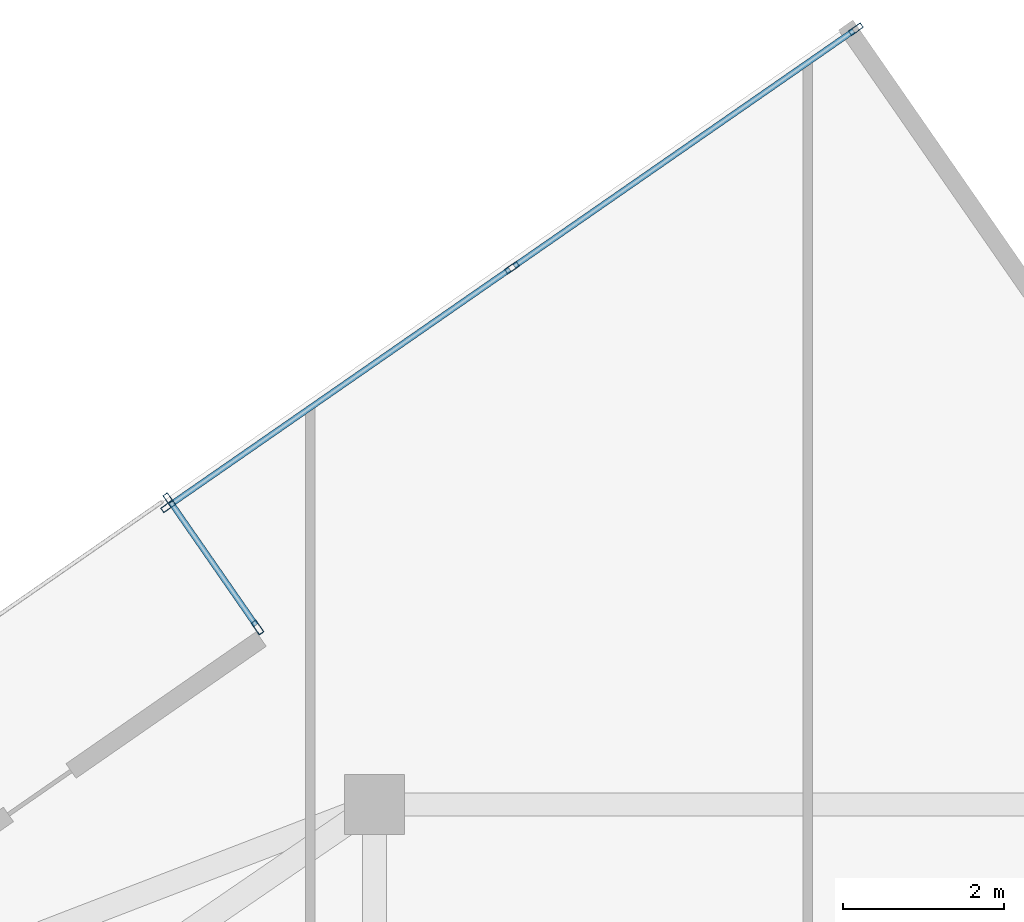
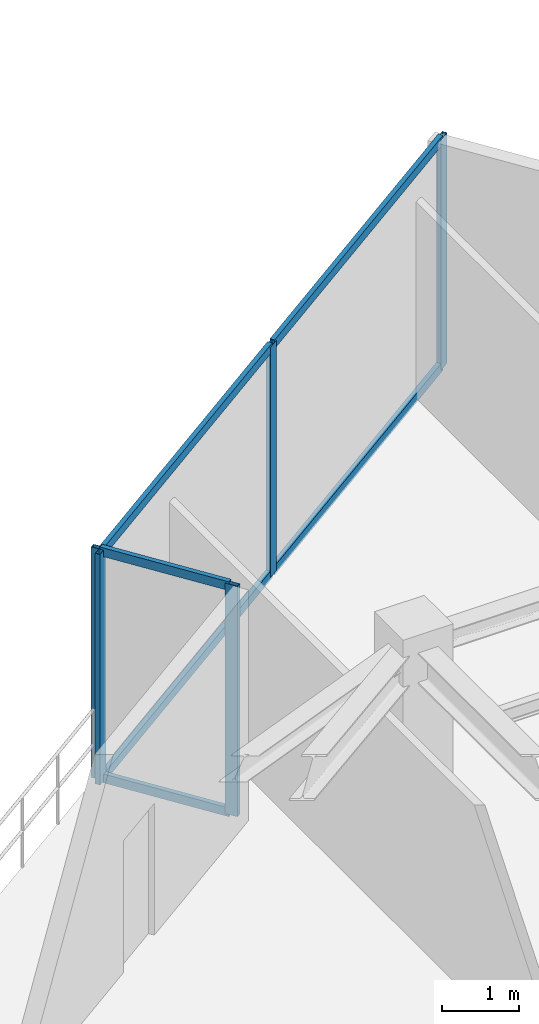
# One storey, part 14 of 21: 11 members, 2 elements without a shape of their own.
"""IFC4 building model written with IfcOpenShell, lengths in metres."""

from ifc_helpers import new_model, si_unit, direction, frame, origin, origin_2d, place, context, subcontext, project, spatial, hollow_rectangle, extrude, source, transform, mapped, material, material_profile, profile_set, type_object, type_shapes, element, aggregate, save


model = new_model("IFC4")

# Units and contexts
model_context = context("Model", 3, precision=1e-05, world=origin(), true_north=direction((0.0, 1.0)))
body_context = subcontext(model_context, "Body", "Model", "MODEL_VIEW")
ifc_project = project(units=[si_unit("LENGTHUNIT", "METRE"), si_unit("AREAUNIT", "SQUARE_METRE"), si_unit("VOLUMEUNIT", "CUBIC_METRE"), si_unit("PLANEANGLEUNIT", "RADIAN"), si_unit("MASSUNIT", "GRAM", prefix="KILO")], contexts=[model_context])

# Site, building, storey
site_placement = place(None, origin())
site = spatial("IfcSite", under=ifc_project, at=site_placement, CompositionType="ELEMENT")
building_placement = place(site_placement, origin())
building = spatial("IfcBuilding", under=site, at=building_placement, Name="Krantzveldt Concourse Tower", CompositionType="ELEMENT")
storey_placement = place(building_placement, frame((0.0, 0.0, 275.300048828125)))
storey = spatial("IfcBuildingStorey", under=building, at=storey_placement, Name="L67", CompositionType="ELEMENT", Elevation=275.300048828125)

# Curtain wall, members
ifc_material = material(Name="Anodised aluminium 6063-T6", Category="aluminium")
curtain_wall_type_1 = type_object("IfcCurtainWallType", Name="CW4", PredefinedType="USERDEFINED", material=ifc_material)
curtain_wall_1_placement = place(storey_placement, origin())
curtain_wall_1 = element("IfcCurtainWall", 1, at=curtain_wall_1_placement, inside=storey, type_object=curtain_wall_type_1, Name="CW-L67-F01", ObjectType="UNITISED CURTAIN WALL", PredefinedType="USERDEFINED")
ifc_material_profile_1 = material_profile(ifc_material, hollow_rectangle(XDim=0.070068359375, YDim=0.179931640625, WallThickness=0.0048828125, at=origin_2d()), Name="Anodised aluminium 6063-T6", Category="aluminium")
ifc_profile_set_1 = profile_set([ifc_material_profile_1], Name="Anodised aluminium 6063-T6 - ALU-MULL 180x70x5")
member_type_1 = type_object("IfcMemberType", Name="CW-MUL-180", PredefinedType="MULLION", material=ifc_profile_set_1)
shared_shape_1 = source(origin(), body_context, "Body", "SweptSolid", [
    extrude(hollow_rectangle(XDim=0.070068359375, YDim=0.179931640625, WallThickness=0.0048828125, at=origin_2d()), origin(), (0.0, 0.0, 1.0), 3.669921875),
])
type_shapes(member_type_1, [shared_shape_1])
member_1_placement = place(storey_placement, frame((36.60009765625, 50.861328125, 0.0), z_axis=(0.0, 0.0, 1.0), x_axis=(0.569996503407, -0.821647117748, 0.0)))
member_1 = element("IfcMember", 2, at=member_1_placement, type_object=member_type_1, Name="CW-Z56 mullion 1", PredefinedType="MULLION", context=body_context, shape_type="MappedRepresentation", body=[
    mapped(shared_shape_1, transform((0.0, 0.0, 0.0), x_axis=(1.0, 0.0, 0.0), y_axis=(0.0, 1.0, 0.0), z_axis=(0.0, 0.0, 1.0), scale=1.0)),
])
member_2_placement = place(storey_placement, frame((32.315185546875, 47.888916015625, 0.0), z_axis=(0.0, 0.0, 1.0), x_axis=(0.569996503407, -0.821647117748, 0.0)))
member_2 = element("IfcMember", 3, at=member_2_placement, type_object=member_type_1, Name="CW-Z56 mullion 2", PredefinedType="MULLION", context=body_context, shape_type="MappedRepresentation", body=[
    mapped(shared_shape_1, transform((0.0, 0.0, 0.0), x_axis=(1.0, 0.0, 0.0), y_axis=(0.0, 1.0, 0.0), z_axis=(0.0, 0.0, 1.0), scale=1.0)),
])
member_3_placement = place(storey_placement, frame((28.0302734375, 44.916259765625, 0.0), z_axis=(0.0, 0.0, 1.0), x_axis=(0.569996503407, -0.821647117748, 0.0)))
member_3 = element("IfcMember", 4, at=member_3_placement, type_object=member_type_1, Name="CW-Z56 mullion 3", PredefinedType="MULLION", context=body_context, shape_type="MappedRepresentation", body=[
    mapped(shared_shape_1, transform((0.0, 0.0, 0.0), x_axis=(1.0, 0.0, 0.0), y_axis=(0.0, 1.0, 0.0), z_axis=(0.0, 0.0, 1.0), scale=1.0)),
])

curtain_wall_type_2 = type_object("IfcCurtainWallType", Name="CW6", PredefinedType="USERDEFINED", material=ifc_material)
curtain_wall_2_placement = place(storey_placement, origin())
curtain_wall_2 = element("IfcCurtainWall", 5, at=curtain_wall_2_placement, inside=storey, type_object=curtain_wall_type_2, Name="CW-L67-TR02", ObjectType="UNITISED CURTAIN WALL", PredefinedType="USERDEFINED")
member_4_placement = place(storey_placement, frame((28.044189453125, 44.992919921875, 0.0), z_axis=(0.0, 0.0, 1.0), x_axis=(0.8216464166, 0.569997514107, 0.0)))
member_4 = element("IfcMember", 6, at=member_4_placement, type_object=member_type_1, Name="CW-TERR mullion 1", PredefinedType="MULLION", context=body_context, shape_type="MappedRepresentation", body=[
    mapped(shared_shape_1, transform((0.0, 0.0, 0.0), x_axis=(1.0, 0.0, 0.0), y_axis=(0.0, 1.0, 0.0), z_axis=(0.0, 0.0, 1.0), scale=1.0)),
])
member_5_placement = place(storey_placement, frame((29.144287109375, 43.406982421875, 0.0), z_axis=(0.0, 0.0, 1.0), x_axis=(0.8216464166, 0.569997514107, 0.0)))
member_5 = element("IfcMember", 7, at=member_5_placement, type_object=member_type_1, Name="CW-TERR mullion 2", PredefinedType="MULLION", context=body_context, shape_type="MappedRepresentation", body=[
    mapped(shared_shape_1, transform((0.0, 0.0, 0.0), x_axis=(1.0, 0.0, 0.0), y_axis=(0.0, 1.0, 0.0), z_axis=(0.0, 0.0, 1.0), scale=1.0)),
])
ifc_material_profile_2 = material_profile(ifc_material, hollow_rectangle(XDim=0.070068359375, YDim=0.139892578125, WallThickness=0.0048828125, at=origin_2d()), Name="Anodised aluminium 6063-T6", Category="aluminium")
ifc_profile_set_2 = profile_set([ifc_material_profile_2], Name="Anodised aluminium 6063-T6 - ALU-TRAN 140x70x5")
member_type_2 = type_object("IfcMemberType", Name="CW-TRN-150", PredefinedType="USERDEFINED", material=ifc_profile_set_2)
shared_shape_2 = source(origin(), body_context, "Body", "SweptSolid", [
    extrude(hollow_rectangle(XDim=0.070068359375, YDim=0.139892578125, WallThickness=0.0048828125, at=origin_2d()), origin(), (0.0, 0.0, 1.0), 1.85986328125),
])
member_6_placement = place(storey_placement, frame((28.064208984375, 44.964111328125, 0.034912109375), z_axis=(0.569933266544, -0.821690983087, 0.0), x_axis=(0.821690983087, 0.569933266544, 0.0)))
member_6 = element("IfcMember", 8, at=member_6_placement, type_object=member_type_2, Name="CW-TERR transom 1.1", ObjectType="TRANSOM", PredefinedType="USERDEFINED", context=body_context, shape_type="MappedRepresentation", body=[
    mapped(shared_shape_2, transform((0.0, 0.0, 0.0), x_axis=(1.0, 0.0, 0.0), y_axis=(0.0, 1.0, 0.0), z_axis=(0.0, 0.0, 1.0), scale=1.0)),
])
member_7_placement = place(storey_placement, frame((28.064208984375, 44.964111328125, 3.635009765625), z_axis=(0.569933266544, -0.821690983087, 0.0), x_axis=(0.821690983087, 0.569933266544, 0.0)))
member_7 = element("IfcMember", 9, at=member_7_placement, type_object=member_type_2, Name="CW-TERR transom 1.2", ObjectType="TRANSOM", PredefinedType="USERDEFINED", context=body_context, shape_type="MappedRepresentation", body=[
    mapped(shared_shape_2, transform((0.0, 0.0, 0.0), x_axis=(1.0, 0.0, 0.0), y_axis=(0.0, 1.0, 0.0), z_axis=(0.0, 0.0, 1.0), scale=1.0)),
])
aggregate(curtain_wall_2, [member_4, member_5, member_6, member_7])

# Member
shared_shape_3 = source(origin(), body_context, "Body", "SweptSolid", [
    extrude(hollow_rectangle(XDim=0.070068359375, YDim=0.139892578125, WallThickness=0.0048828125, at=origin_2d()), origin(), (0.0, 0.0, 1.0), 5.14501953125),
])
type_shapes(member_type_2, [shared_shape_2, shared_shape_3])
member_8_placement = place(storey_placement, frame((36.5712890625, 50.84130859375, 0.034912109375), z_axis=(-0.821643446743, -0.570001795107, 0.0), x_axis=(0.570001795107, -0.821643446743, 0.0)))
member_8 = element("IfcMember", 10, at=member_8_placement, type_object=member_type_2, Name="CW-Z56 transom 1.1", ObjectType="TRANSOM", PredefinedType="USERDEFINED", context=body_context, shape_type="MappedRepresentation", body=[
    mapped(shared_shape_3, transform((0.0, 0.0, 0.0), x_axis=(1.0, 0.0, 0.0), y_axis=(0.0, 1.0, 0.0), z_axis=(0.0, 0.0, 1.0), scale=1.0)),
])

member_9_placement = place(storey_placement, frame((36.5712890625, 50.84130859375, 3.635009765625), z_axis=(-0.821643446743, -0.570001795107, 0.0), x_axis=(0.570001795107, -0.821643446743, 0.0)))
member_9 = element("IfcMember", 11, at=member_9_placement, type_object=member_type_2, Name="CW-Z56 transom 1.2", ObjectType="TRANSOM", PredefinedType="USERDEFINED", context=body_context, shape_type="MappedRepresentation", body=[
    mapped(shared_shape_3, transform((0.0, 0.0, 0.0), x_axis=(1.0, 0.0, 0.0), y_axis=(0.0, 1.0, 0.0), z_axis=(0.0, 0.0, 1.0), scale=1.0)),
])

member_10_placement = place(storey_placement, frame((32.28662109375, 47.868896484375, 0.034912109375), z_axis=(-0.821658863319, -0.569979571852, 0.0), x_axis=(0.569979571852, -0.821658863319, 0.0)))
member_10 = element("IfcMember", 12, at=member_10_placement, type_object=member_type_2, Name="CW-Z56 transom 2.1", ObjectType="TRANSOM", PredefinedType="USERDEFINED", context=body_context, shape_type="MappedRepresentation", body=[
    mapped(shared_shape_3, transform((0.0, 0.0, 0.0), x_axis=(1.0, 0.0, 0.0), y_axis=(0.0, 1.0, 0.0), z_axis=(0.0, 0.0, 1.0), scale=1.0)),
])

member_11_placement = place(storey_placement, frame((32.28662109375, 47.868896484375, 3.635009765625), z_axis=(-0.821658863319, -0.569979571852, 0.0), x_axis=(0.569979571852, -0.821658863319, 0.0)))
member_11 = element("IfcMember", 13, at=member_11_placement, type_object=member_type_2, Name="CW-Z56 transom 2.2", ObjectType="TRANSOM", PredefinedType="USERDEFINED", context=body_context, shape_type="MappedRepresentation", body=[
    mapped(shared_shape_3, transform((0.0, 0.0, 0.0), x_axis=(1.0, 0.0, 0.0), y_axis=(0.0, 1.0, 0.0), z_axis=(0.0, 0.0, 1.0), scale=1.0)),
])

aggregate(curtain_wall_1, [member_1, member_2, member_3, member_8, member_9, member_10, member_11])

save(model, "model.ifc")
